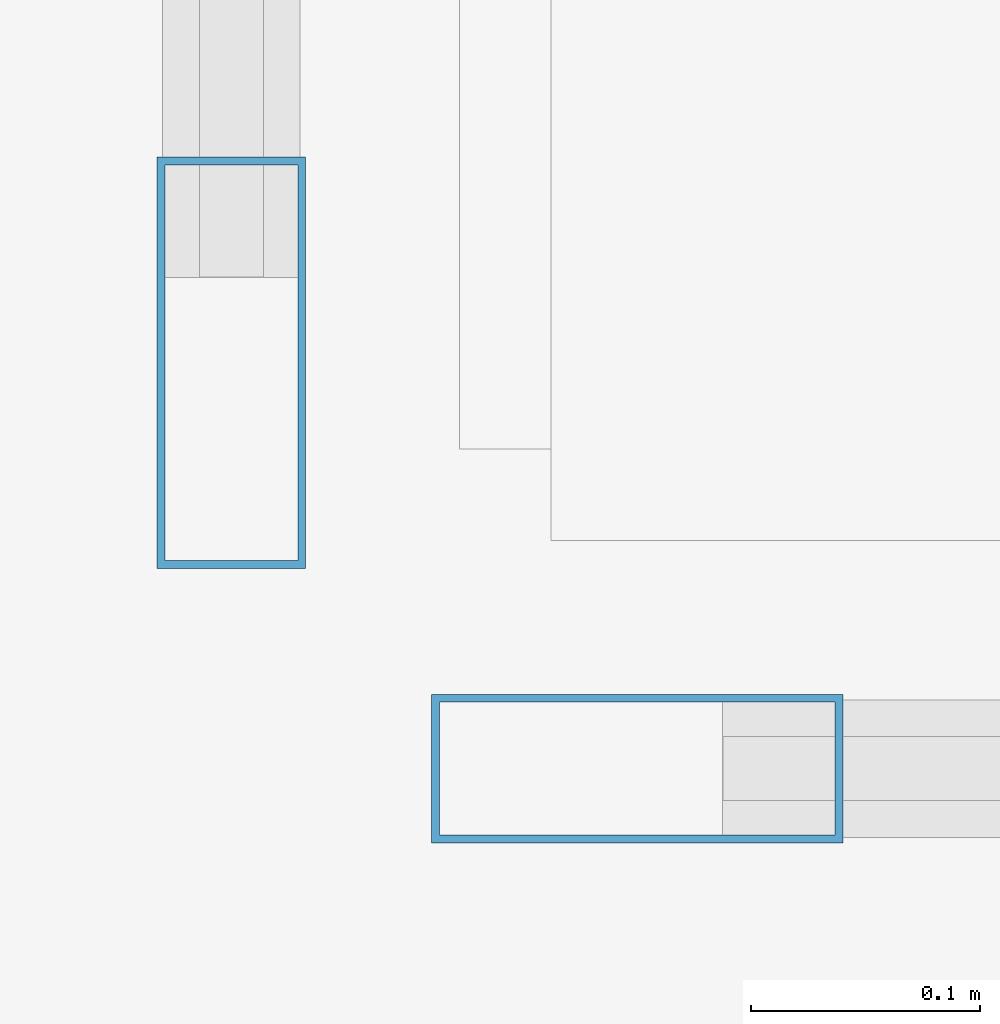
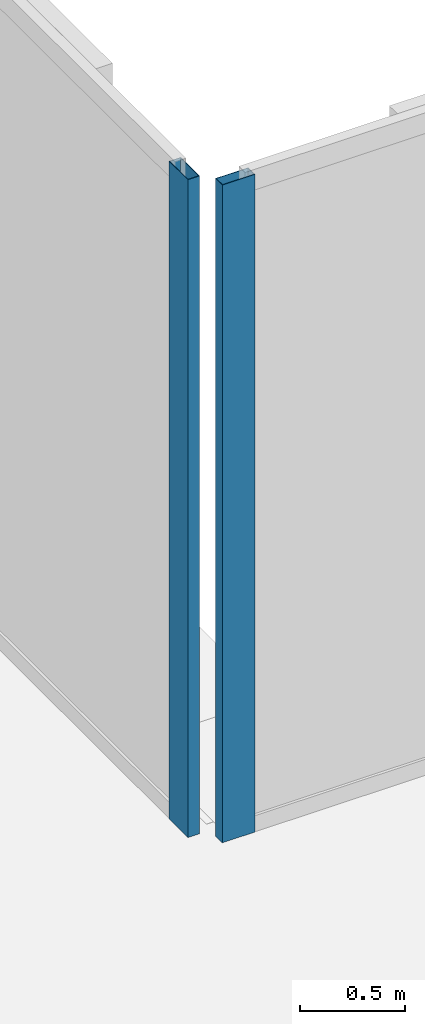
# One storey, part 19 of 29: 2 members, 2 elements without a shape of their own.
"""IFC4 building model written with IfcOpenShell, lengths in metres."""

from ifc_helpers import new_model, si_unit, direction, frame, origin, origin_2d, place, context, subcontext, project, spatial, hollow_rectangle, extrude, material, layer, layer_set, material_profile, profile_set, type_object, element, aggregate, save


model = new_model("IFC4")

# Units and contexts
model_context = context("Model", 3, precision=1e-05, world=origin(), true_north=direction((0.0, 1.0)))
body_context = subcontext(model_context, "Body", "Model", "MODEL_VIEW")
ifc_project = project(units=[si_unit("LENGTHUNIT", "METRE"), si_unit("AREAUNIT", "SQUARE_METRE"), si_unit("VOLUMEUNIT", "CUBIC_METRE"), si_unit("PLANEANGLEUNIT", "RADIAN"), si_unit("MASSUNIT", "GRAM", prefix="KILO")], contexts=[model_context])

# Site, building, storey
site_placement = place(None, origin())
site = spatial("IfcSite", under=ifc_project, at=site_placement, CompositionType="ELEMENT")
building_placement = place(site_placement, origin())
building = spatial("IfcBuilding", under=site, at=building_placement, Name="Nerrivon Quay Data Exchange", CompositionType="ELEMENT")
storey_placement = place(building_placement, frame((0.0, 0.0, 191.89990234375)))
storey = spatial("IfcBuildingStorey", under=building, at=storey_placement, Name="L45", CompositionType="ELEMENT", Elevation=191.89990234375)

# Curtain wall, member
ifc_material = material(Name="Anodised aluminium 6063-T6", Category="aluminium")
ifc_layer = layer(ifc_material, 0.195068359375)
ifc_layer_set = layer_set([ifc_layer], Name="Anodised aluminium 6063-T6")
curtain_wall_type = type_object("IfcCurtainWallType", Name="CW-SYS-06", PredefinedType="NOTDEFINED", material=ifc_layer_set)
curtain_wall_1_placement = place(storey_placement, origin())
curtain_wall_1 = element("IfcCurtainWall", 1, at=curtain_wall_1_placement, inside=storey, type_object=curtain_wall_type, Name="L45 Unitised Curtain Wall 11", PredefinedType="NOTDEFINED")
ifc_material_profile = material_profile(ifc_material, hollow_rectangle(XDim=0.06494140625, YDim=0.179931640625, WallThickness=0.00341796875, at=origin_2d()), Name="ALU-MULL-180x65")
ifc_profile_set = profile_set([ifc_material_profile], Name="Anodised aluminium 6063-T6")
member_type = type_object("IfcMemberType", Name="CWM-180x65", PredefinedType="MULLION", material=ifc_profile_set)
member_1_placement = place(storey_placement, frame((20.860107421875, 46.237548828125, 0.0), z_axis=(0.0, 0.0, 1.0), x_axis=(1.0, 0.0, 0.0)))
member_1 = element("IfcMember", 2, at=member_1_placement, type_object=member_type, Name="CW06 mullion 2", PredefinedType="MULLION", context=body_context, shape_type="SweptSolid", body=[
    extrude(hollow_rectangle(XDim=0.06494140625, YDim=0.179931640625, WallThickness=0.00341796875, at=origin_2d()), origin(), (0.0, 0.0, 1.0), 3.8251953125),
])
aggregate(curtain_wall_1, [member_1])

curtain_wall_2_placement = place(storey_placement, origin())
curtain_wall_2 = element("IfcCurtainWall", 3, at=curtain_wall_2_placement, inside=storey, type_object=curtain_wall_type, Name="L45 Unitised Curtain Wall 12", PredefinedType="NOTDEFINED")
member_2_placement = place(storey_placement, frame((21.03759765625, 46.06005859375, 0.0), z_axis=(0.0, 0.0, 1.0), x_axis=(0.0, 1.0, 0.0)))
member_2 = element("IfcMember", 4, at=member_2_placement, type_object=member_type, Name="CW06 mullion 1", PredefinedType="MULLION", context=body_context, shape_type="SweptSolid", body=[
    extrude(hollow_rectangle(XDim=0.06494140625, YDim=0.179931640625, WallThickness=0.00341796875, at=origin_2d()), origin(), (0.0, 0.0, 1.0), 3.8251953125),
])
aggregate(curtain_wall_2, [member_2])

save(model, "model.ifc")
